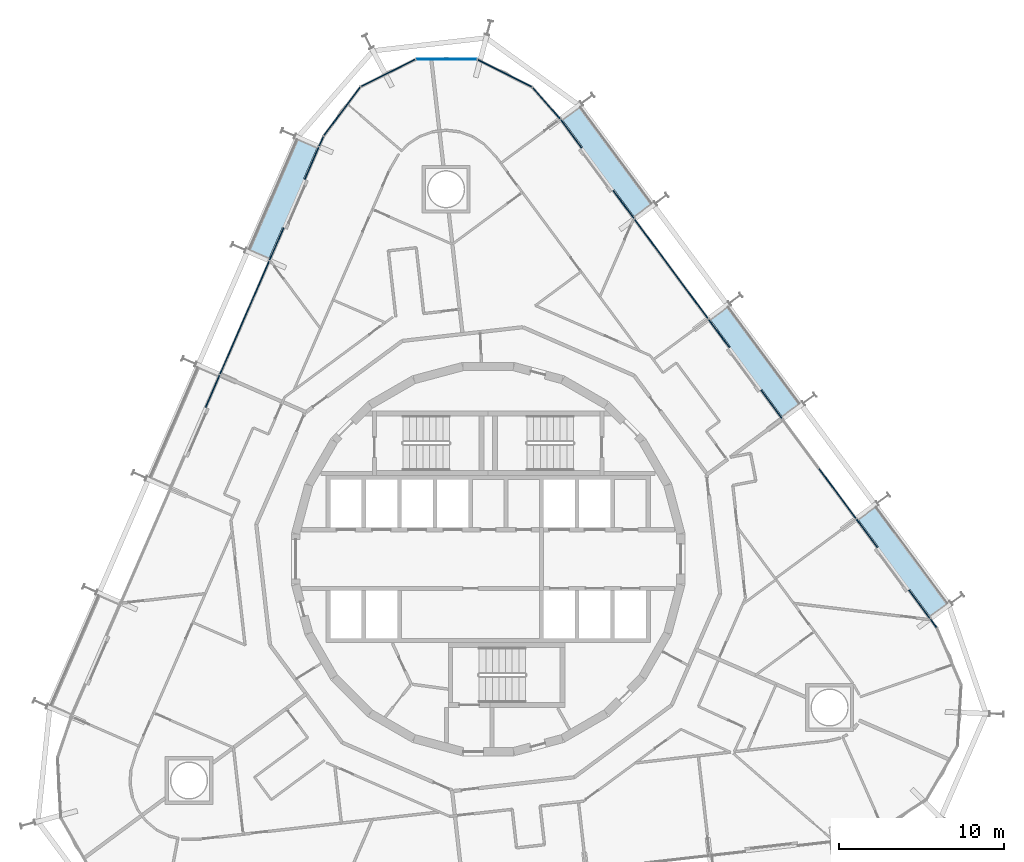
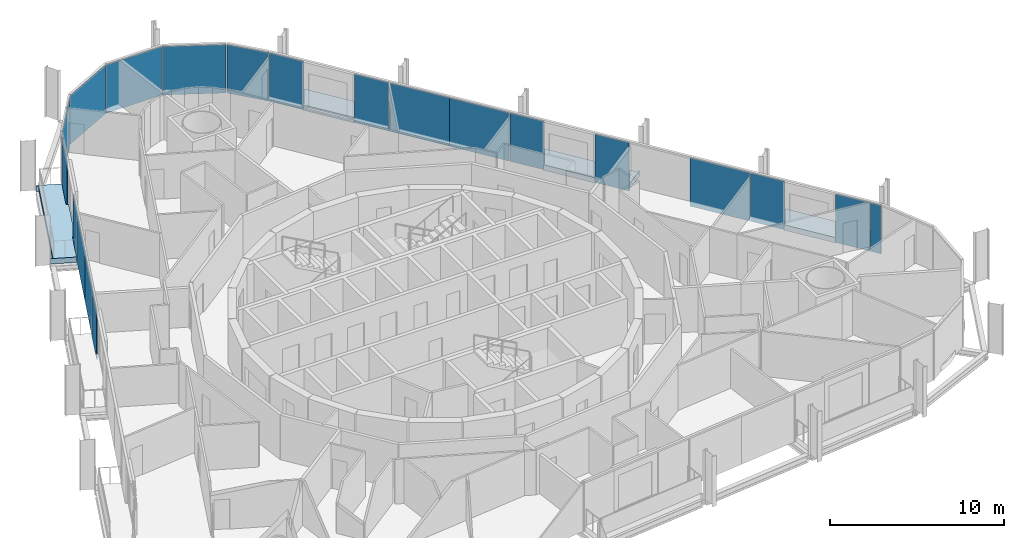
# One storey, part 15 of 24: 21 plates, 4 slabs, 4 elements without a shape of their own.
"""IFC4 building model written with IfcOpenShell, lengths in metres."""

from ifc_helpers import new_model, si_unit, direction, frame, origin, origin_2d, place, context, subcontext, project, spatial, polyline, rectangle, outline, extrude, material, layer, layer_set, type_object, element, aggregate, save


model = new_model("IFC4")

# Units and contexts
model_context = context("Model", 3, precision=1e-05, world=origin(), true_north=direction((0.0, 1.0)))
body_context = subcontext(model_context, "Body", "Model", "MODEL_VIEW")
ifc_project = project(units=[si_unit("LENGTHUNIT", "METRE"), si_unit("AREAUNIT", "SQUARE_METRE"), si_unit("VOLUMEUNIT", "CUBIC_METRE"), si_unit("PLANEANGLEUNIT", "RADIAN"), si_unit("MASSUNIT", "GRAM", prefix="KILO")], contexts=[model_context])

# Site, building, storey
site_placement = place(None, origin())
site = spatial("IfcSite", under=ifc_project, at=site_placement, CompositionType="ELEMENT")
building_placement = place(site_placement, origin())
building = spatial("IfcBuilding", under=site, at=building_placement, Name="Spindle Arch Residences", CompositionType="ELEMENT")
storey_placement = place(building_placement, frame((0.0, 0.0, 94.199951171875)))
storey = spatial("IfcBuildingStorey", under=building, at=storey_placement, Name="L22", CompositionType="ELEMENT", Elevation=94.199951171875)

# Slabs
ifc_material_1 = material(Name="Concrete C40/50", Category="concrete")
ifc_layer_1 = layer(ifc_material_1, 0.3798828125)
ifc_layer_set_1 = layer_set([ifc_layer_1], Name="Balcony slab 380")
slab_type = type_object("IfcSlabType", Name="Balcony slab 380", PredefinedType="FLOOR", material=ifc_layer_set_1)
slab_1_placement = place(storey_placement, frame((0.0, 0.0, -0.3798828125)))
element("IfcSlab", 1, at=slab_1_placement, inside=storey, type_object=slab_type, Name="Balcony L22 bay 6", PredefinedType="FLOOR", context=body_context, shape_type="SweptSolid", body=[
    extrude(outline(polyline([(27.94287109375, -2.613525390625), (27.8984375, -2.55322265625), (27.77783203125, -2.642578125), (23.48388671875, 3.160400390625), (23.6044921875, 3.24951171875), (23.559814453125, 3.309814453125), (22.362060546875, 2.423583984375), (23.601806640625, 0.748046875), (23.473388671875, 0.65283203125), (25.376708984375, -1.91943359375), (25.50537109375, -1.82421875), (26.7451171875, -3.499755859375), (27.94287109375, -2.613525390625)])), origin(), (0.0, 0.0, 1.0), 0.3798828125),
])
slab_2_placement = place(storey_placement, frame((0.0, 0.0, -0.3798828125)))
element("IfcSlab", 2, at=slab_2_placement, inside=storey, type_object=slab_type, Name="Balcony L22 bay 8", PredefinedType="FLOOR", context=body_context, shape_type="SweptSolid", body=[
    extrude(outline(polyline([(18.998291015625, 9.474609375), (18.95361328125, 9.534912109375), (18.8330078125, 9.445556640625), (14.5390625, 15.24853515625), (14.65966796875, 15.337646484375), (14.614990234375, 15.39794921875), (13.417236328125, 14.51171875), (14.6572265625, 12.836181640625), (14.528564453125, 12.740966796875), (16.431884765625, 10.168701171875), (16.560546875, 10.263916015625), (17.800537109375, 8.588134765625), (18.998291015625, 9.474609375)])), origin(), (0.0, 0.0, 1.0), 0.3798828125),
])
slab_3_placement = place(storey_placement, frame((0.0, 0.0, -0.3798828125)))
element("IfcSlab", 3, at=slab_3_placement, inside=storey, type_object=slab_type, Name="Balcony L22 bay 10", PredefinedType="FLOOR", context=body_context, shape_type="SweptSolid", body=[
    extrude(outline(polyline([(10.053466796875, 21.562744140625), (10.0087890625, 21.623046875), (9.88818359375, 21.53369140625), (5.594482421875, 27.336669921875), (5.71484375, 27.42578125), (5.67041015625, 27.486083984375), (4.47265625, 26.599853515625), (5.71240234375, 24.92431640625), (5.583740234375, 24.8291015625), (7.4873046875, 22.2568359375), (7.615966796875, 22.351806640625), (8.855712890625, 20.67626953125), (10.053466796875, 21.562744140625)])), origin(), (0.0, 0.0, 1.0), 0.3798828125),
])
slab_4_placement = place(storey_placement, frame((0.0, 0.0, -0.3798828125)))
element("IfcSlab", 4, at=slab_4_placement, inside=storey, type_object=slab_type, Name="Balcony L22 bay 14", PredefinedType="FLOOR", context=body_context, shape_type="SweptSolid", body=[
    extrude(outline(polyline([(-11.7080078125, 25.506103515625), (-11.738037109375, 25.437255859375), (-11.600341796875, 25.37744140625), (-14.47900390625, 18.75732421875), (-14.616455078125, 18.817138671875), (-14.646240234375, 18.74853515625), (-13.280029296875, 18.154296875), (-12.44873046875, 20.06591796875), (-12.302001953125, 20.001953125), (-11.026123046875, 22.9365234375), (-11.1728515625, 23.00048828125), (-10.341552734375, 24.911865234375), (-11.7080078125, 25.506103515625)])), origin(), (0.0, 0.0, 1.0), 0.3798828125),
])

# Curtain wall, plate
ifc_material_2 = material(Name="Aluminium bronze unitised frame with tinted glass", Category="aluminium")
ifc_layer_2 = layer(ifc_material_2, 0.159912109375)
ifc_layer_set_2 = layer_set([ifc_layer_2], Name="CW-D corner wall on the fillet arcs")
curtain_wall_type_1 = type_object("IfcCurtainWallType", Name="CW-D corner wall on the fillet arcs", PredefinedType="NOTDEFINED", material=ifc_layer_set_2)
curtain_wall_1_placement = place(storey_placement, origin())
curtain_wall_1 = element("IfcCurtainWall", 5, at=curtain_wall_1_placement, inside=storey, type_object=curtain_wall_type_1, Name="CW-D L22 run 1", PredefinedType="NOTDEFINED")
ifc_material_3 = material(Name="Tinted double glazing over aluminium faced non-combustible spandrel zone (K0)", Category="aluminium")
ifc_layer_3 = layer(ifc_material_3, 0.06005859375)
ifc_layer_set_3 = layer_set([ifc_layer_3], Name="Unitised glass panel with E 60 spandrel zone")
plate_type = type_object("IfcPlateType", Name="Unitised glass panel with E 60 spandrel zone", PredefinedType="CURTAIN_PANEL", material=ifc_layer_set_3)
plate_1_placement = place(storey_placement, frame((26.93408203125, -3.8896484375, -0.3798828125), z_axis=(0.0, 0.0, 1.0), x_axis=(-0.594822786751, 0.803856860617, 0.0)))
plate_1 = element("IfcPlate", 6, at=plate_1_placement, type_object=plate_type, Name="CW-D unit 05", PredefinedType="CURTAIN_PANEL", context=body_context, shape_type="SweptSolid", body=[
    extrude(rectangle(XDim=0.6416015625, YDim=0.06005859375, at=origin_2d()), origin(), (0.0, 0.0, 1.0), 3.3798828125),
])
aggregate(curtain_wall_1, [plate_1])

# Curtain wall, plates
ifc_material_4 = material(Name="Aluminium bronze unitised frame with tinted glass", Category="aluminium")
ifc_layer_4 = layer(ifc_material_4, 0.159912109375)
ifc_layer_set_4 = layer_set([ifc_layer_4], Name="CW-C typical residential unitised wall")
curtain_wall_type_2 = type_object("IfcCurtainWallType", Name="CW-C typical residential unitised wall", PredefinedType="NOTDEFINED", material=ifc_layer_set_4)
curtain_wall_2_placement = place(storey_placement, origin())
curtain_wall_2 = element("IfcCurtainWall", 7, at=curtain_wall_2_placement, inside=storey, type_object=curtain_wall_type_2, Name="CW-C L22 run 2", PredefinedType="NOTDEFINED")
plate_2_placement = place(storey_placement, frame((26.074462890625, -2.727783203125, -0.3798828125), z_axis=(0.0, 0.0, 1.0), x_axis=(-0.594822786751, 0.803856860617, 0.0)))
plate_2 = element("IfcPlate", 8, at=plate_2_placement, type_object=plate_type, Name="CW-C unit 05L", PredefinedType="CURTAIN_PANEL", context=body_context, shape_type="SweptSolid", body=[
    extrude(rectangle(XDim=2.12939453125, YDim=0.06005859375, at=origin_2d()), origin(), (0.0, 0.0, 1.0), 3.3798828125),
])
plate_3_placement = place(storey_placement, frame((22.904296875, 1.556396484375, -0.3798828125), z_axis=(0.0, 0.0, 1.0), x_axis=(-0.594822786751, 0.803856860617, 0.0)))
plate_3 = element("IfcPlate", 9, at=plate_3_placement, type_object=plate_type, Name="CW-C unit 05R", PredefinedType="CURTAIN_PANEL", context=body_context, shape_type="SweptSolid", body=[
    extrude(rectangle(XDim=2.12939453125, YDim=0.06005859375, at=origin_2d()), origin(), (0.0, 0.0, 1.0), 3.3798828125),
])
plate_4_placement = place(storey_placement, frame((21.126220703125, 3.95947265625, -0.3798828125), z_axis=(0.0, 0.0, 1.0), x_axis=(-0.594822786751, 0.803856860617, 0.0)))
plate_4 = element("IfcPlate", 10, at=plate_4_placement, type_object=plate_type, Name="CW-C unit 06A", PredefinedType="CURTAIN_PANEL", context=body_context, shape_type="SweptSolid", body=[
    extrude(rectangle(XDim=3.7294921875, YDim=0.06005859375, at=origin_2d()), origin(), (0.0, 0.0, 1.0), 3.3798828125),
])
plate_5_placement = place(storey_placement, frame((17.129638671875, 9.3603515625, -0.3798828125), z_axis=(0.0, 0.0, 1.0), x_axis=(-0.594822786751, 0.803856860617, 0.0)))
plate_5 = element("IfcPlate", 11, at=plate_5_placement, type_object=plate_type, Name="CW-C unit 07L", PredefinedType="CURTAIN_PANEL", context=body_context, shape_type="SweptSolid", body=[
    extrude(rectangle(XDim=2.12939453125, YDim=0.06005859375, at=origin_2d()), origin(), (0.0, 0.0, 1.0), 3.3798828125),
])
plate_6_placement = place(storey_placement, frame((13.95947265625, 13.64453125, -0.3798828125), z_axis=(0.0, 0.0, 1.0), x_axis=(-0.594822786751, 0.803856860617, 0.0)))
plate_6 = element("IfcPlate", 12, at=plate_6_placement, type_object=plate_type, Name="CW-C unit 07R", PredefinedType="CURTAIN_PANEL", context=body_context, shape_type="SweptSolid", body=[
    extrude(rectangle(XDim=2.12939453125, YDim=0.06005859375, at=origin_2d()), origin(), (0.0, 0.0, 1.0), 3.3798828125),
])
plate_7_placement = place(storey_placement, frame((12.181396484375, 16.047607421875, -0.3798828125), z_axis=(0.0, 0.0, 1.0), x_axis=(-0.594822786751, 0.803856860617, 0.0)))
plate_7 = element("IfcPlate", 13, at=plate_7_placement, type_object=plate_type, Name="CW-C unit 08A", PredefinedType="CURTAIN_PANEL", context=body_context, shape_type="SweptSolid", body=[
    extrude(rectangle(XDim=3.7294921875, YDim=0.06005859375, at=origin_2d()), origin(), (0.0, 0.0, 1.0), 3.3798828125),
])
plate_8_placement = place(storey_placement, frame((9.963134765625, 19.04541015625, -0.3798828125), z_axis=(0.0, 0.0, 1.0), x_axis=(-0.594822786751, 0.803856860617, 0.0)))
plate_8 = element("IfcPlate", 14, at=plate_8_placement, type_object=plate_type, Name="CW-C unit 08B", PredefinedType="CURTAIN_PANEL", context=body_context, shape_type="SweptSolid", body=[
    extrude(rectangle(XDim=3.7294921875, YDim=0.06005859375, at=origin_2d()), origin(), (0.0, 0.0, 1.0), 3.3798828125),
])
plate_9_placement = place(storey_placement, frame((8.184814453125, 21.448486328125, -0.3798828125), z_axis=(0.0, 0.0, 1.0), x_axis=(-0.594822786751, 0.803856860617, 0.0)))
plate_9 = element("IfcPlate", 15, at=plate_9_placement, type_object=plate_type, Name="CW-C unit 09L", PredefinedType="CURTAIN_PANEL", context=body_context, shape_type="SweptSolid", body=[
    extrude(rectangle(XDim=2.12939453125, YDim=0.06005859375, at=origin_2d()), origin(), (0.0, 0.0, 1.0), 3.3798828125),
])
plate_10_placement = place(storey_placement, frame((5.014892578125, 25.732666015625, -0.3798828125), z_axis=(0.0, 0.0, 1.0), x_axis=(-0.594822786751, 0.803856860617, 0.0)))
plate_10 = element("IfcPlate", 16, at=plate_10_placement, type_object=plate_type, Name="CW-C unit 09R", PredefinedType="CURTAIN_PANEL", context=body_context, shape_type="SweptSolid", body=[
    extrude(rectangle(XDim=2.12939453125, YDim=0.06005859375, at=origin_2d()), origin(), (0.0, 0.0, 1.0), 3.3798828125),
])
aggregate(curtain_wall_2, [plate_2, plate_3, plate_4, plate_5, plate_6, plate_7, plate_8, plate_9, plate_10])

curtain_wall_3_placement = place(storey_placement, origin())
curtain_wall_3 = element("IfcCurtainWall", 17, at=curtain_wall_3_placement, inside=storey, type_object=curtain_wall_type_1, Name="CW-D L22 run 3", PredefinedType="NOTDEFINED")
plate_11_placement = place(storey_placement, frame((3.513427734375, 27.57861328125, -0.3798828125), z_axis=(0.0, 0.0, 1.0), x_axis=(-0.660703891733, 0.750646632877, 0.0)))
plate_11 = element("IfcPlate", 18, at=plate_11_placement, type_object=plate_type, Name="CW-D unit 00", PredefinedType="CURTAIN_PANEL", context=body_context, shape_type="SweptSolid", body=[
    extrude(rectangle(XDim=2.51416015625, YDim=0.06005859375, at=origin_2d()), origin(), (0.0, 0.0, 1.0), 3.3798828125),
])
plate_12_placement = place(storey_placement, frame((1.000244140625, 29.385986328125, -0.3798828125), z_axis=(0.0, 0.0, 1.0), x_axis=(-0.892323355439, 0.451396753797, 0.0)))
plate_12 = element("IfcPlate", 19, at=plate_12_placement, type_object=plate_type, Name="CW-D unit 01", PredefinedType="CURTAIN_PANEL", context=body_context, shape_type="SweptSolid", body=[
    extrude(rectangle(XDim=3.666748046875, YDim=0.06005859375, at=origin_2d()), origin(), (0.0, 0.0, 1.0), 3.3798828125),
])
plate_13_placement = place(storey_placement, frame((-2.52587890625, 30.232421875, -0.3798828125), z_axis=(0.0, 0.0, 1.0), x_axis=(-0.999995769195, 0.002908881551, 0.0)))
plate_13 = element("IfcPlate", 20, at=plate_13_placement, type_object=plate_type, Name="CW-D unit 02", PredefinedType="CURTAIN_PANEL", context=body_context, shape_type="SweptSolid", body=[
    extrude(rectangle(XDim=3.666748046875, YDim=0.06005859375, at=origin_2d()), origin(), (0.0, 0.0, 1.0), 3.3798828125),
])
plate_14_placement = place(storey_placement, frame((-6.056884765625, 29.406494140625, -0.3798828125), z_axis=(0.0, 0.0, 1.0), x_axis=(-0.89493436175, -0.446197812813, 0.0)))
plate_14 = element("IfcPlate", 21, at=plate_14_placement, type_object=plate_type, Name="CW-D unit 03", PredefinedType="CURTAIN_PANEL", context=body_context, shape_type="SweptSolid", body=[
    extrude(rectangle(XDim=3.666748046875, YDim=0.06005859375, at=origin_2d()), origin(), (0.0, 0.0, 1.0), 3.3798828125),
])
plate_15_placement = place(storey_placement, frame((-8.841552734375, 27.08349609375, -0.3798828125), z_axis=(0.0, 0.0, 1.0), x_axis=(-0.599489340736, -0.800382739909, 0.0)))
plate_15 = element("IfcPlate", 22, at=plate_15_placement, type_object=plate_type, Name="CW-D unit 04", PredefinedType="CURTAIN_PANEL", context=body_context, shape_type="SweptSolid", body=[
    extrude(rectangle(XDim=3.666748046875, YDim=0.06005859375, at=origin_2d()), origin(), (0.0, 0.0, 1.0), 3.3798828125),
])
plate_16_placement = place(storey_placement, frame((-10.098388671875, 25.2705078125, -0.3798828125), z_axis=(0.0, 0.0, 1.0), x_axis=(-0.398749068925, -0.917060074385, 0.0)))
plate_16 = element("IfcPlate", 23, at=plate_16_placement, type_object=plate_type, Name="CW-D unit 05", PredefinedType="CURTAIN_PANEL", context=body_context, shape_type="SweptSolid", body=[
    extrude(rectangle(XDim=0.6416015625, YDim=0.06005859375, at=origin_2d()), origin(), (0.0, 0.0, 1.0), 3.3798828125),
])
aggregate(curtain_wall_3, [plate_11, plate_12, plate_13, plate_14, plate_15, plate_16])

curtain_wall_4_placement = place(storey_placement, origin())
curtain_wall_4 = element("IfcCurtainWall", 24, at=curtain_wall_4_placement, inside=storey, type_object=curtain_wall_type_2, Name="CW-C L22 run 4", PredefinedType="NOTDEFINED")
plate_17_placement = place(storey_placement, frame((-10.6748046875, 23.94482421875, -0.3798828125), z_axis=(0.0, 0.0, 1.0), x_axis=(-0.398749068925, -0.917060074385, 0.0)))
plate_17 = element("IfcPlate", 25, at=plate_17_placement, type_object=plate_type, Name="CW-C unit 13L", PredefinedType="CURTAIN_PANEL", context=body_context, shape_type="SweptSolid", body=[
    extrude(rectangle(XDim=2.12939453125, YDim=0.06005859375, at=origin_2d()), origin(), (0.0, 0.0, 1.0), 3.3798828125),
])
plate_18_placement = place(storey_placement, frame((-12.800048828125, 19.0576171875, -0.3798828125), z_axis=(0.0, 0.0, 1.0), x_axis=(-0.398749068925, -0.917060074385, 0.0)))
plate_18 = element("IfcPlate", 26, at=plate_18_placement, type_object=plate_type, Name="CW-C unit 13R", PredefinedType="CURTAIN_PANEL", context=body_context, shape_type="SweptSolid", body=[
    extrude(rectangle(XDim=2.12939453125, YDim=0.06005859375, at=origin_2d()), origin(), (0.0, 0.0, 1.0), 3.3798828125),
])
plate_19_placement = place(storey_placement, frame((-13.991943359375, 16.316162109375, -0.3798828125), z_axis=(0.0, 0.0, 1.0), x_axis=(-0.398749068925, -0.917060074385, 0.0)))
plate_19 = element("IfcPlate", 27, at=plate_19_placement, type_object=plate_type, Name="CW-C unit 14A", PredefinedType="CURTAIN_PANEL", context=body_context, shape_type="SweptSolid", body=[
    extrude(rectangle(XDim=3.7294921875, YDim=0.06005859375, at=origin_2d()), origin(), (0.0, 0.0, 1.0), 3.3798828125),
])
plate_20_placement = place(storey_placement, frame((-15.47900390625, 12.89599609375, -0.3798828125), z_axis=(0.0, 0.0, 1.0), x_axis=(-0.398749068925, -0.917060074385, 0.0)))
plate_20 = element("IfcPlate", 28, at=plate_20_placement, type_object=plate_type, Name="CW-C unit 14B", PredefinedType="CURTAIN_PANEL", context=body_context, shape_type="SweptSolid", body=[
    extrude(rectangle(XDim=3.7294921875, YDim=0.06005859375, at=origin_2d()), origin(), (0.0, 0.0, 1.0), 3.3798828125),
])
plate_21_placement = place(storey_placement, frame((-16.671142578125, 10.154541015625, -0.3798828125), z_axis=(0.0, 0.0, 1.0), x_axis=(-0.398749068925, -0.917060074385, 0.0)))
plate_21 = element("IfcPlate", 29, at=plate_21_placement, type_object=plate_type, Name="CW-C unit 15L", PredefinedType="CURTAIN_PANEL", context=body_context, shape_type="SweptSolid", body=[
    extrude(rectangle(XDim=2.12939453125, YDim=0.06005859375, at=origin_2d()), origin(), (0.0, 0.0, 1.0), 3.3798828125),
])
aggregate(curtain_wall_4, [plate_17, plate_18, plate_19, plate_20, plate_21])

save(model, "model.ifc")
